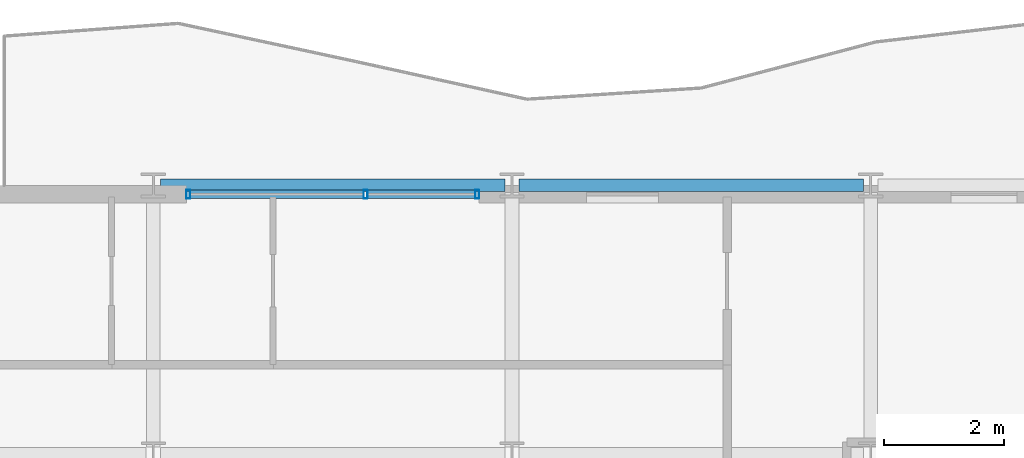
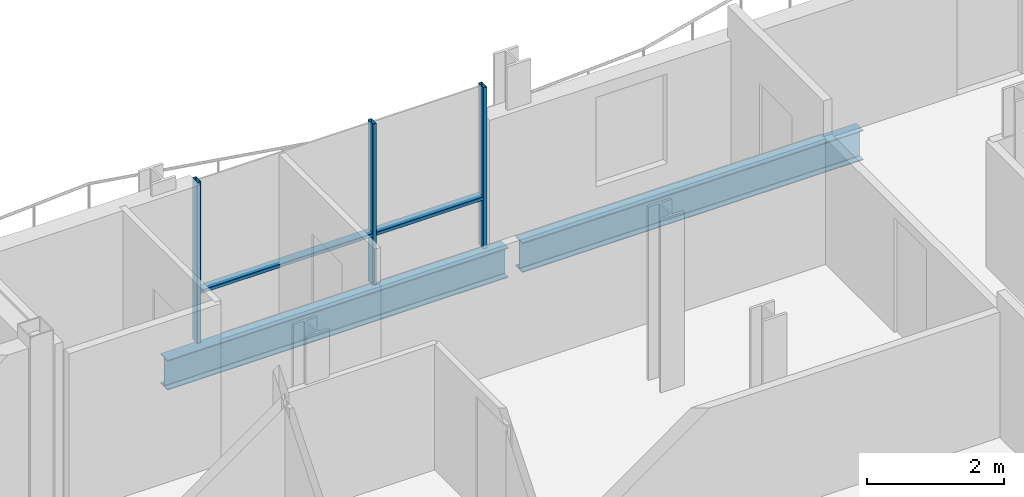
# One storey, part 23 of 41: 5 members, 2 beams, 1 element without a shape of its own.
"""IFC4 building model written with IfcOpenShell, lengths in metres."""

from ifc_helpers import new_model, si_unit, direction, frame, origin, origin_2d, place, context, subcontext, project, spatial, hollow_rectangle, i_section, extrude, material, layer, layer_set, material_profile, profile_set, type_object, element, aggregate, save


model = new_model("IFC4")

# Units and contexts
model_context = context("Model", 3, precision=1e-05, world=origin(), true_north=direction((0.0, 1.0)))
body_context = subcontext(model_context, "Body", "Model", "MODEL_VIEW")
ifc_project = project(units=[si_unit("LENGTHUNIT", "METRE"), si_unit("AREAUNIT", "SQUARE_METRE"), si_unit("VOLUMEUNIT", "CUBIC_METRE"), si_unit("PLANEANGLEUNIT", "RADIAN"), si_unit("MASSUNIT", "GRAM", prefix="KILO")], contexts=[model_context])

# Site, building, storey
site_placement = place(None, origin())
site = spatial("IfcSite", under=ifc_project, at=site_placement, CompositionType="ELEMENT")
building_placement = place(site_placement, origin())
building = spatial("IfcBuilding", under=site, at=building_placement, Name="Brevholm Reach", CompositionType="ELEMENT")
storey_placement = place(building_placement, frame((0.0, 0.0, 151.10009765625)))
storey = spatial("IfcBuildingStorey", under=building, at=storey_placement, Name="L45", CompositionType="ELEMENT", Elevation=151.10009765625)

# Beams
ifc_material_1 = material(Name="Structural Steel S355J2", Category="steel")
ifc_material_profile_1 = material_profile(ifc_material_1, i_section(OverallWidth=0.209228515625, OverallDepth=0.533203125, WebThickness=0.010009765625, FlangeThickness=0.015625, FilletRadius=0.0126953125, at=origin_2d()), Name="UKB 533x210x92")
ifc_profile_set_1 = profile_set([ifc_material_profile_1], Name="Structural Steel S355J2")
beam_type = type_object("IfcBeamType", Name="BM-SP533", PredefinedType="SPANDREL", material=ifc_profile_set_1)
for number, where, z_axis, x_axis, name in (
    (1, (6.1201171875, 31.0, -0.486572265625), (1.0, 0.0, 0.0), (0.0, 1.0, 0.0), "L45 SP-02 Framing Beam"),
    (2, (12.1201171875, 31.0, -0.486572265625), (1.0, 0.0, 0.0), (0.0, 1.0, 0.0), "L45 SP-02 Framing Beam"),
):
    element("IfcBeam", number, at=place(storey_placement, frame(where, z_axis=z_axis, x_axis=x_axis)), inside=storey, type_object=beam_type, Name=name, PredefinedType="SPANDREL", context=body_context, shape_type="SweptSolid", body=[
        extrude(i_section(OverallWidth=0.209228515625, OverallDepth=0.533203125, WebThickness=0.010009765625, FlangeThickness=0.015625, FilletRadius=0.0126953125, at=origin_2d()), origin(), (0.0, 0.0, 1.0), 5.759765625),
    ])

# Curtain wall, members
ifc_material_2 = material(Name="Dark Anodised Aluminium 6063-T6 and Solar-Control Glass", Category="aluminium")
ifc_layer = layer(ifc_material_2, 0.14990234375)
ifc_layer_set = layer_set([ifc_layer], Name="Dark Anodised Aluminium 6063-T6 and Solar-Control Glass")
curtain_wall_type = type_object("IfcCurtainWallType", Name="CW-01", PredefinedType="NOTDEFINED", material=ifc_layer_set)
curtain_wall_placement = place(storey_placement, origin())
curtain_wall = element("IfcCurtainWall", 3, at=curtain_wall_placement, inside=storey, type_object=curtain_wall_type, Name="L45 Curtain Wall CW-01", PredefinedType="NOTDEFINED")
ifc_material_3 = material(Name="Dark Anodised Aluminium 6063-T6", Category="aluminium")
ifc_material_profile_2 = material_profile(ifc_material_3, hollow_rectangle(XDim=0.06494140625, YDim=0.14990234375, WallThickness=0.0048828125, InnerFilletRadius=0.0048828125, OuterFilletRadius=0.010009765625, at=origin_2d()), Name="RHS 150x65x5")
ifc_profile_set_2 = profile_set([ifc_material_profile_2], Name="Dark Anodised Aluminium 6063-T6")
member_type_1 = type_object("IfcMemberType", Name="CWM-150", PredefinedType="MULLION", material=ifc_profile_set_2)
member_1_placement = place(storey_placement, frame((6.58251953125, 30.85009765625, 0.0), z_axis=(0.0, 0.0, 1.0), x_axis=(1.0, 0.0, 0.0)))
member_1 = element("IfcMember", 4, at=member_1_placement, type_object=member_type_1, Name="CM-150 Mullion 1", PredefinedType="MULLION", context=body_context, shape_type="SweptSolid", body=[
    extrude(hollow_rectangle(XDim=0.06494140625, YDim=0.14990234375, WallThickness=0.0048828125, InnerFilletRadius=0.0048828125, OuterFilletRadius=0.010009765625, at=origin_2d()), origin(), (0.0, 0.0, 1.0), 2.8798828125),
])
member_2_placement = place(storey_placement, frame((9.550048828125, 30.85009765625, 0.0), z_axis=(0.0, 0.0, 1.0), x_axis=(1.0, 0.0, 0.0)))
member_2 = element("IfcMember", 5, at=member_2_placement, type_object=member_type_1, Name="CM-150 Mullion 2", PredefinedType="MULLION", context=body_context, shape_type="SweptSolid", body=[
    extrude(hollow_rectangle(XDim=0.06494140625, YDim=0.14990234375, WallThickness=0.0048828125, InnerFilletRadius=0.0048828125, OuterFilletRadius=0.010009765625, at=origin_2d()), origin(), (0.0, 0.0, 1.0), 2.8798828125),
])
member_3_placement = place(storey_placement, frame((11.41748046875, 30.85009765625, 0.0), z_axis=(0.0, 0.0, 1.0), x_axis=(1.0, 0.0, 0.0)))
member_3 = element("IfcMember", 6, at=member_3_placement, type_object=member_type_1, Name="CM-150 Mullion 3", PredefinedType="MULLION", context=body_context, shape_type="SweptSolid", body=[
    extrude(hollow_rectangle(XDim=0.06494140625, YDim=0.14990234375, WallThickness=0.0048828125, InnerFilletRadius=0.0048828125, OuterFilletRadius=0.010009765625, at=origin_2d()), origin(), (0.0, 0.0, 1.0), 2.8798828125),
])
ifc_material_4 = material(Name="Dark Anodised Aluminium 6063-T6", Category="aluminium")
ifc_material_profile_3 = material_profile(ifc_material_4, hollow_rectangle(XDim=0.06494140625, YDim=0.14990234375, WallThickness=0.0048828125, InnerFilletRadius=0.0048828125, OuterFilletRadius=0.010009765625, at=origin_2d()), Name="RHS 150x65x5")
ifc_profile_set_3 = profile_set([ifc_material_profile_3], Name="Dark Anodised Aluminium 6063-T6")
member_type_2 = type_object("IfcMemberType", Name="CWT-150", PredefinedType="NOTDEFINED", material=ifc_profile_set_3)
member_4_placement = place(storey_placement, frame((6.614990234375, 30.85009765625, 0.89990234375), z_axis=(1.0, 0.0, 0.0), x_axis=(0.0, 0.0, 1.0)))
member_4 = element("IfcMember", 7, at=member_4_placement, type_object=member_type_2, Name="CT-150 Transom 1.1", ObjectType="TRANSOM", PredefinedType="USERDEFINED", context=body_context, shape_type="SweptSolid", body=[
    extrude(hollow_rectangle(XDim=0.06494140625, YDim=0.14990234375, WallThickness=0.0048828125, InnerFilletRadius=0.0048828125, OuterFilletRadius=0.010009765625, at=origin_2d()), origin(), (0.0, 0.0, 1.0), 2.902587890625),
])
member_5_placement = place(storey_placement, frame((9.58251953125, 30.85009765625, 0.89990234375), z_axis=(1.0, 0.0, 0.0), x_axis=(0.0, 0.0, 1.0)))
member_5 = element("IfcMember", 8, at=member_5_placement, type_object=member_type_2, Name="CT-150 Transom 2.1", ObjectType="TRANSOM", PredefinedType="USERDEFINED", context=body_context, shape_type="SweptSolid", body=[
    extrude(hollow_rectangle(XDim=0.06494140625, YDim=0.14990234375, WallThickness=0.0048828125, InnerFilletRadius=0.0048828125, OuterFilletRadius=0.010009765625, at=origin_2d()), origin(), (0.0, 0.0, 1.0), 1.802490234375),
])
aggregate(curtain_wall, [member_1, member_2, member_3, member_4, member_5])

save(model, "model.ifc")
